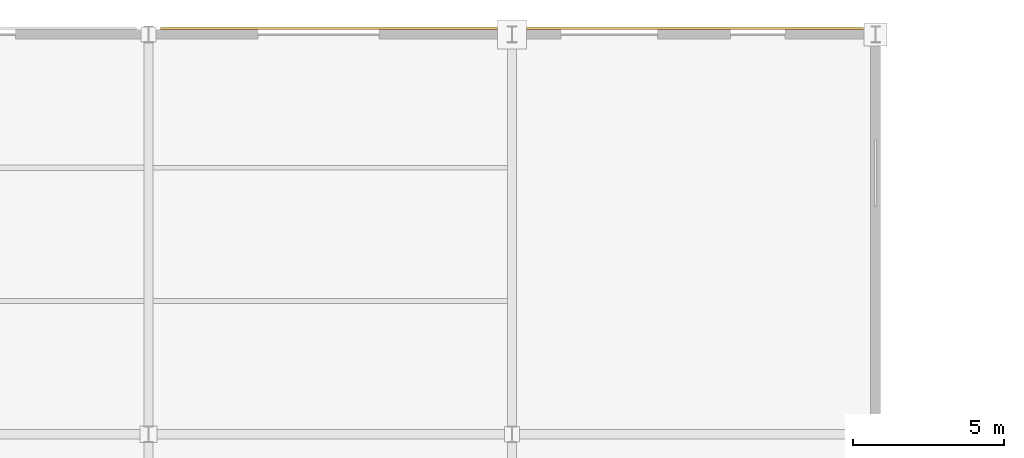
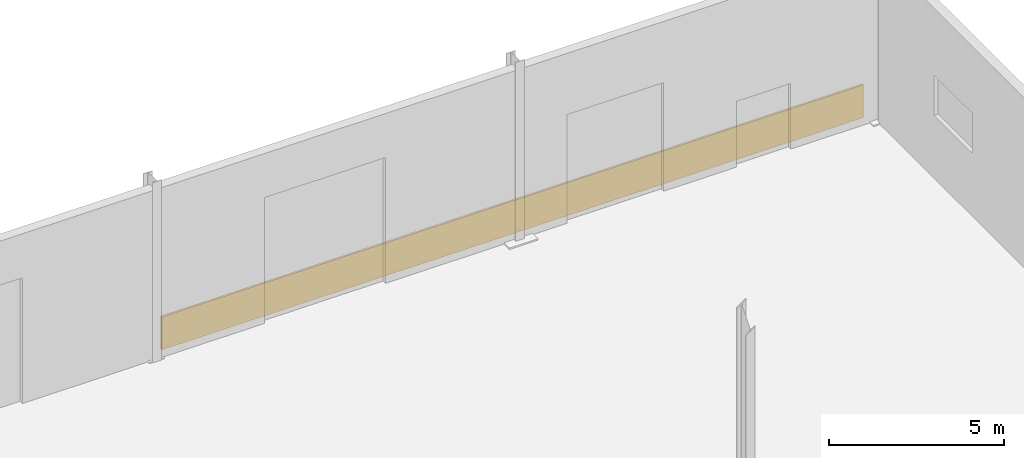
# One storey, part 195 of 196: 1 covering.
"""IFC4 building model written with IfcOpenShell, lengths in metres."""

import ifcopenshell
import ifcopenshell.guid

model = None  # the IFC model being written
_history = None  # IfcOwnerHistory: only IFC2X3 demands one
_inside = {}  # id of a spatial element -> (the spatial element, [elements in it])
_under = {}  # id of a project, library or spatial element -> (it, [spatial elements below it])
_declared = {}  # id of a project -> (the project, [libraries it declares])
_typed = {}  # id of a type object -> (the type object, [elements of that type])
_made_of = {}  # id of a material, layer set ... -> (it, [elements and type objects made of it])


def new_model(schema):
    """Start an empty IFC model of exactly this schema.

    Asked for "IFC4X3", IfcOpenShell would pick the latest addendum, in which some entities
    have other attributes; the version numbers below select the first issue.
    IFC2X3 requires an IfcOwnerHistory on every rooted entity: one is made here for all.
    """
    global model, _history
    if schema == "IFC4X3":
        model = ifcopenshell.file(schema_version=(4, 3, 0, 0))
    else:
        model = ifcopenshell.file(schema=schema)
    _inside.clear()
    _under.clear()
    _declared.clear()
    _typed.clear()
    _made_of.clear()
    _history = None
    if model.schema == "IFC2X3":
        org = make("IfcOrganization", Name="unknown")
        user = make(
            "IfcPersonAndOrganization",
            ThePerson=make("IfcPerson", FamilyName="unknown"),
            TheOrganization=org,
        )
        app = make(
            "IfcApplication",
            ApplicationDeveloper=org,
            Version="unknown",
            ApplicationFullName="unknown",
            ApplicationIdentifier="unknown",
        )
        _history = make(
            "IfcOwnerHistory",
            OwningUser=user,
            OwningApplication=app,
            ChangeAction="ADDED",
            CreationDate=0,
        )
    return model


def make(cls, **values):
    """One entity of the class cls with the attributes given. An attribute that is None is left unset."""
    return model.create_entity(
        cls, **{name: value for name, value in values.items() if value is not None}
    )


def rooted(cls, **values):
    """An entity with a GlobalId (a new one), such as an element, a storey or a relation."""
    return make(cls, GlobalId=ifcopenshell.guid.new(), OwnerHistory=_history, **values)


def si_unit(unit_type, name, prefix=None):
    """IfcSIUnit, for example si_unit("LENGTHUNIT", "METRE", prefix="MILLI")."""
    return make("IfcSIUnit", UnitType=unit_type, Prefix=prefix, Name=name)


def assignment(units):
    """IfcUnitAssignment: the units of a project."""
    return None if units is None else make("IfcUnitAssignment", Units=units)


def point(xyz):
    """IfcCartesianPoint."""
    return None if xyz is None else make("IfcCartesianPoint", Coordinates=xyz)


def direction(xyz):
    """IfcDirection."""
    return None if xyz is None else make("IfcDirection", DirectionRatios=xyz)


def frame(location, z_axis=None, x_axis=None):
    """IfcAxis2Placement3D, a coordinate frame: its origin and axes. An axis left out is left unset."""
    return make(
        "IfcAxis2Placement3D",
        Location=point(location),
        Axis=direction(z_axis),
        RefDirection=direction(x_axis),
    )


def origin():
    """The frame at (0, 0, 0) with its axes left unset."""
    return frame((0.0, 0.0, 0.0))


def place(relative_to, where):
    """IfcLocalPlacement: puts the frame where relative to a parent placement (None: the world)."""
    return make(
        "IfcLocalPlacement", PlacementRelTo=relative_to, RelativePlacement=where
    )


def context(
    kind, dimensions, precision=None, world=None, true_north=None, identifier=None
):
    """IfcGeometricRepresentationContext, for example the 3D "Model" context."""
    return make(
        "IfcGeometricRepresentationContext",
        ContextIdentifier=identifier,
        ContextType=kind,
        CoordinateSpaceDimension=dimensions,
        Precision=precision,
        WorldCoordinateSystem=world,
        TrueNorth=true_north,
    )


def subcontext(parent, identifier, kind, view, scale=None):
    """IfcGeometricRepresentationSubContext, for example "Body" below "Model"."""
    return make(
        "IfcGeometricRepresentationSubContext",
        ContextIdentifier=identifier,
        ContextType=kind,
        ParentContext=parent,
        TargetScale=scale,
        TargetView=view,
    )


def project(units=None, contexts=None):
    """IfcProject with its units and contexts."""
    return rooted(
        "IfcProject",
        Name="project",
        RepresentationContexts=contexts,
        UnitsInContext=assignment(units),
    )


def spatial(cls, under=None, at=None, **own):
    """A site, building, storey or space (cls), placed at a placement, below another one or the project."""
    s = rooted(cls, ObjectPlacement=at, **own)
    if under is not None:
        _under.setdefault(under.id(), (under, []))[1].append(s)
    return s


def polyline(points):
    """IfcPolyline through the points."""
    return make("IfcPolyline", Points=[point(p) for p in points])


def outline(outer, holes=None, kind="AREA"):
    """IfcArbitraryClosedProfileDef: a profile drawn as a closed curve; with holes, ...WithVoids."""
    if holes is None:
        return make("IfcArbitraryClosedProfileDef", ProfileType=kind, OuterCurve=outer)
    return make(
        "IfcArbitraryProfileDefWithVoids",
        ProfileType=kind,
        OuterCurve=outer,
        InnerCurves=holes,
    )


def extrude(swept, where, along, depth):
    """IfcExtrudedAreaSolid: the profile swept, set in the frame where, extruded along a direction by depth."""
    return make(
        "IfcExtrudedAreaSolid",
        SweptArea=swept,
        Position=where,
        ExtrudedDirection=direction(along),
        Depth=depth,
    )


def shape(context_of_items, identifier, shape_type, items):
    """IfcShapeRepresentation: the items that make up one representation, for example the "Body"."""
    return make(
        "IfcShapeRepresentation",
        ContextOfItems=context_of_items,
        RepresentationIdentifier=identifier,
        RepresentationType=shape_type,
        Items=items,
    )


def material(Name=None, Category=None):
    """IfcMaterial."""
    return make("IfcMaterial", Name=Name, Category=Category)


def layer(
    of_material, thickness, ventilated=None, Name=None, Category=None, Priority=None
):
    """IfcMaterialLayer: one layer of a wall or slab, of a material (None: an air gap)."""
    return make(
        "IfcMaterialLayer",
        Material=of_material,
        LayerThickness=thickness,
        IsVentilated=ventilated,
        Name=Name,
        Category=Category,
        Priority=Priority,
    )


def layer_set(layers, Name=None):
    """IfcMaterialLayerSet."""
    return make("IfcMaterialLayerSet", MaterialLayers=layers, LayerSetName=Name)


def made_of(thing, what):
    """Note that an element or type object is made of a material, layer set ...; save() writes the relation."""
    if what is not None:
        _made_of.setdefault(what.id(), (what, []))[1].append(thing)
    return thing


def type_object(cls, material=None, **own):
    """A type object (cls), such as IfcWallType, which elements share."""
    return made_of(rooted(cls, **own), material)


def element(
    cls,
    number,
    at=None,
    inside=None,
    cuts=None,
    type_object=None,
    material=None,
    context=None,
    identifier="Body",
    shape_type=None,
    held_by="IfcProductDefinitionShape",
    body=None,
    shapes=None,
    **own,
):
    """One element of the class cls, such as IfcWall. Its Tag is "e" and its number.

    at: its placement. inside: the storey or other place that contains it. cuts: it is an
    opening in that element (IfcRelVoidsElement). A single representation is given by context,
    identifier, shape_type and body (its items); several are given by shapes. held_by: the class
    of the entity that holds the representations. save() writes the other relations.
    """
    e = rooted(cls, Tag="e%d" % number, ObjectPlacement=at, **own)
    if body is not None:
        shapes = [shape(context, identifier, shape_type, body)]
    if shapes is not None:
        e.Representation = make(held_by, Representations=shapes)
    if inside is not None:
        _inside.setdefault(inside.id(), (inside, []))[1].append(e)
    if cuts is not None:
        rooted(
            "IfcRelVoidsElement", RelatingBuildingElement=cuts, RelatedOpeningElement=e
        )
    if type_object is not None:
        _typed.setdefault(type_object.id(), (type_object, []))[1].append(e)
    return made_of(e, material)


def aggregate(whole, parts):
    """IfcRelAggregates: a whole, such as a stair, and the parts it consists of."""
    return rooted("IfcRelAggregates", RelatingObject=whole, RelatedObjects=parts)


def save(model, path):
    """Write the relations noted so far, then the file.

    IfcRelAggregates (storeys below a building ...), IfcRelContainedInSpatialStructure (elements
    in a storey), IfcRelDefinesByType, IfcRelAssociatesMaterial and IfcRelDeclares: one each for
    every whole, place, type object, material and project.
    """
    for whole, parts in _under.values():
        aggregate(whole, parts)
    for where, things in _inside.values():
        rooted(
            "IfcRelContainedInSpatialStructure",
            RelatedElements=things,
            RelatingStructure=where,
        )
    for kind, things in _typed.values():
        rooted("IfcRelDefinesByType", RelatedObjects=things, RelatingType=kind)
    for what, things in _made_of.values():
        rooted("IfcRelAssociatesMaterial", RelatedObjects=things, RelatingMaterial=what)
    for by, libraries in _declared.values():
        rooted("IfcRelDeclares", RelatingContext=by, RelatedDefinitions=libraries)
    model.write(path)


model = new_model("IFC4")

# Units and contexts
model_context = context("Model", 3, precision=1e-05, world=origin(), true_north=direction((0.0, 1.0)))
body_context = subcontext(model_context, "Body", "Model", "MODEL_VIEW")
ifc_project = project(units=[si_unit("LENGTHUNIT", "METRE"), si_unit("AREAUNIT", "SQUARE_METRE"), si_unit("VOLUMEUNIT", "CUBIC_METRE"), si_unit("PLANEANGLEUNIT", "RADIAN"), si_unit("MASSUNIT", "GRAM", prefix="KILO")], contexts=[model_context])

# Site, building, storey
site_placement = place(None, origin())
site = spatial("IfcSite", under=ifc_project, at=site_placement, CompositionType="ELEMENT")
building_placement = place(site_placement, origin())
building = spatial("IfcBuilding", under=site, at=building_placement, Name="Merenkruunu Market Hall", CompositionType="ELEMENT")
storey_placement = place(building_placement, origin())
storey = spatial("IfcBuildingStorey", under=building, at=storey_placement, Name="L00", CompositionType="ELEMENT", Elevation=0.0)

# Covering
ifc_material = material(Name="Kuru grey granite", Category="masonry")
ifc_layer = layer(ifc_material, 0.070068359375)
ifc_layer_set = layer_set([ifc_layer], Name="Kuru grey granite")
covering_type = type_object("IfcCoveringType", Name="Precast Granite Plinth Cladding CLD01", PredefinedType="CLADDING", material=ifc_layer_set)
covering_placement = place(storey_placement, origin())
element("IfcCovering", 1, at=covering_placement, inside=storey, type_object=covering_type, Name="CLD-N3", PredefinedType="CLADDING", context=body_context, shape_type="SweptSolid", body=[
    extrude(outline(polyline([(125.199951171875, 124.9599609375), (148.39990234375, 124.9599609375), (148.39990234375, 125.030029296875), (125.199951171875, 125.030029296875), (125.199951171875, 124.9599609375)])), origin(), (0.0, 0.0, 1.0), 1.14990234375),
])

save(model, "model.ifc")
